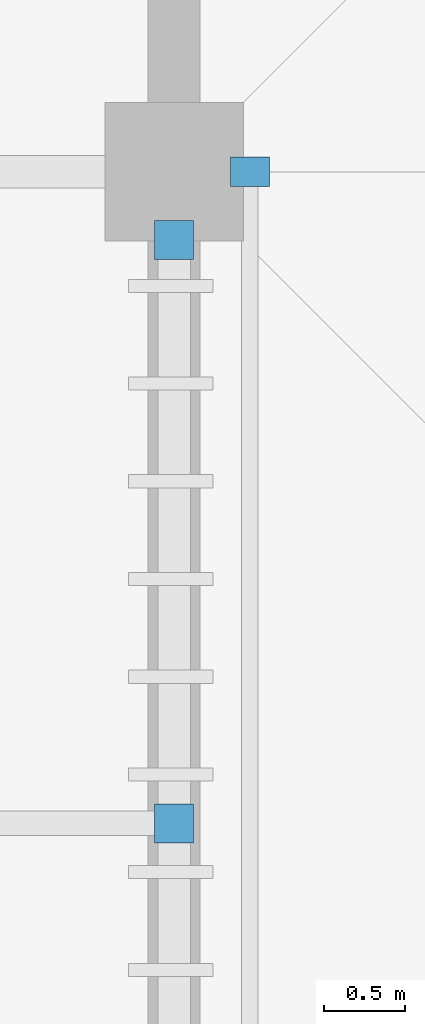
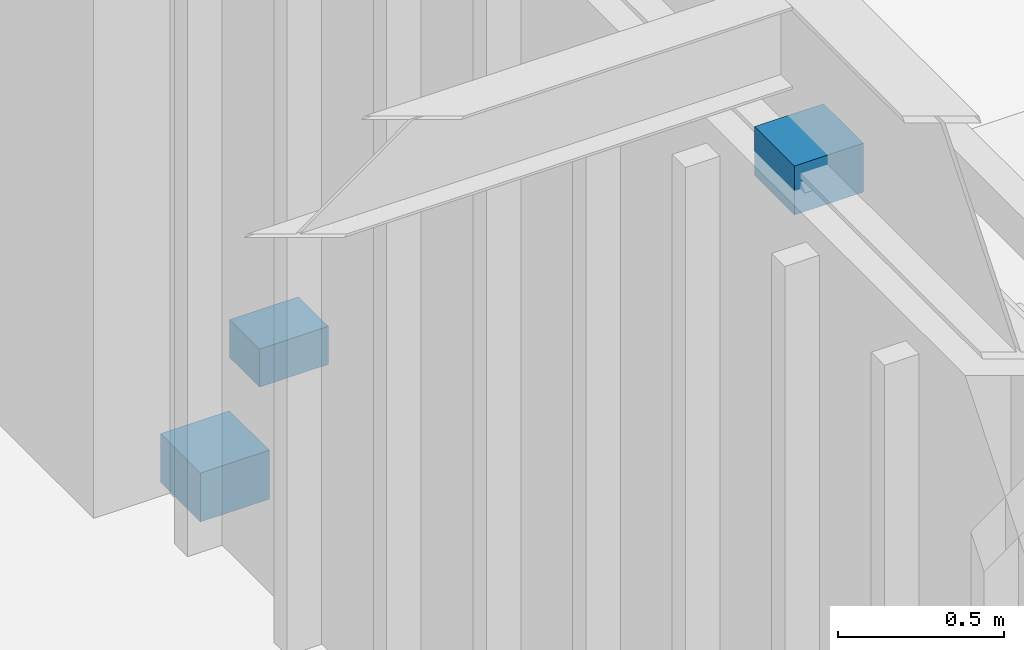
# One storey, part 71 of 78: 3 discrete accessories.
"""IFC4 building model written with IfcOpenShell, lengths in metres."""

from ifc_helpers import new_model, si_unit, direction, frame, origin, origin_2d, place, context, subcontext, project, spatial, rectangle, extrude, material, layer, layer_set, type_object, element, save


model = new_model("IFC4")

# Units and contexts
model_context = context("Model", 3, precision=1e-05, world=origin(), true_north=direction((0.0, 1.0)))
body_context = subcontext(model_context, "Body", "Model", "MODEL_VIEW")
ifc_project = project(units=[si_unit("LENGTHUNIT", "METRE"), si_unit("AREAUNIT", "SQUARE_METRE"), si_unit("VOLUMEUNIT", "CUBIC_METRE"), si_unit("PLANEANGLEUNIT", "RADIAN"), si_unit("MASSUNIT", "GRAM", prefix="KILO")], contexts=[model_context])

# Site, building, storey
site_placement = place(None, origin())
site = spatial("IfcSite", under=ifc_project, at=site_placement, CompositionType="ELEMENT")
building_placement = place(site_placement, origin())
building = spatial("IfcBuilding", under=site, at=building_placement, Name="Haebicheon Civic Stadium", CompositionType="ELEMENT")
storey_placement = place(building_placement, frame((0.0, 0.0, 18.60009765625)))
storey = spatial("IfcBuildingStorey", under=building, at=storey_placement, Name="L05", CompositionType="ELEMENT", Elevation=18.60009765625)

# Discrete accessories
ifc_material_1 = material(Name="White painted steel SM490", Category="steel")
ifc_layer_1 = layer(ifc_material_1, 0.179931640625, Name="White painted steel SM490")
ifc_layer_set_1 = layer_set([ifc_layer_1], Name="White painted steel SM490")
discrete_accessory_type_1 = type_object("IfcDiscreteAccessoryType", Name="BRK-END-PLT", PredefinedType="BRACKET", material=ifc_layer_set_1)
for number, where, z_axis, x_axis, name in (
    (1, (160.0, 135.580078125, -0.05029296875), (0.0, 0.0, 1.0), (1.0, 0.0, 0.0), "Brace L05-19-16 bolted end connection plate"),
    (2, (160.0, 132.0, 3.25), (0.0, 0.0, 1.0), (1.0, 0.0, 0.0), "Brace L05-19-16 bolted end connection plate"),
):
    element("IfcDiscreteAccessory", number, at=place(storey_placement, frame(where, z_axis=z_axis, x_axis=x_axis)), inside=storey, type_object=discrete_accessory_type_1, material=ifc_layer_set_1, Name=name, PredefinedType="BRACKET", context=body_context, shape_type="SweptSolid", body=[
        extrude(rectangle(XDim=0.239990234375, YDim=0.239990234375, at=origin_2d()), origin(), (0.0, 0.0, 1.0), 0.179931640625),
    ])
ifc_material_2 = material(Name="Stainless steel 316", Category="steel")
ifc_layer_2 = layer(ifc_material_2, 0.139892578125, Name="Stainless steel 316")
ifc_layer_set_2 = layer_set([ifc_layer_2], Name="Stainless steel 316")
discrete_accessory_type_2 = type_object("IfcDiscreteAccessoryType", Name="BRK-LVR-CLEAT", PredefinedType="BRACKET", material=ifc_layer_set_2)
discrete_accessory_placement = place(storey_placement, frame((160.465087890625, 136.0, 0.009765625), z_axis=(0.0, 0.0, 1.0), x_axis=(1.0, 0.0, 0.0)))
element("IfcDiscreteAccessory", 3, at=discrete_accessory_placement, inside=storey, type_object=discrete_accessory_type_2, material=ifc_layer_set_2, Name="SCR-EAST L05 stainless bracket cleat 11B", PredefinedType="BRACKET", context=body_context, shape_type="SweptSolid", body=[
    extrude(rectangle(XDim=0.239990234375, YDim=0.179931640625, at=origin_2d()), origin(), (0.0, 0.0, 1.0), 0.139892578125),
])

save(model, "model.ifc")
